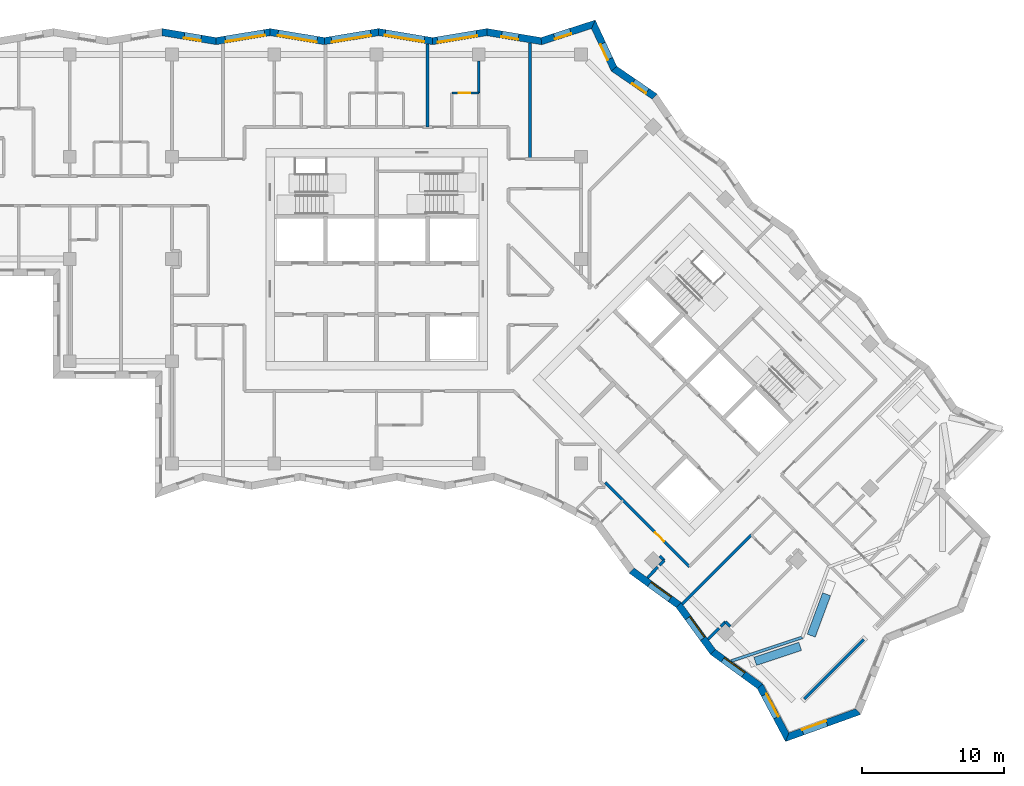
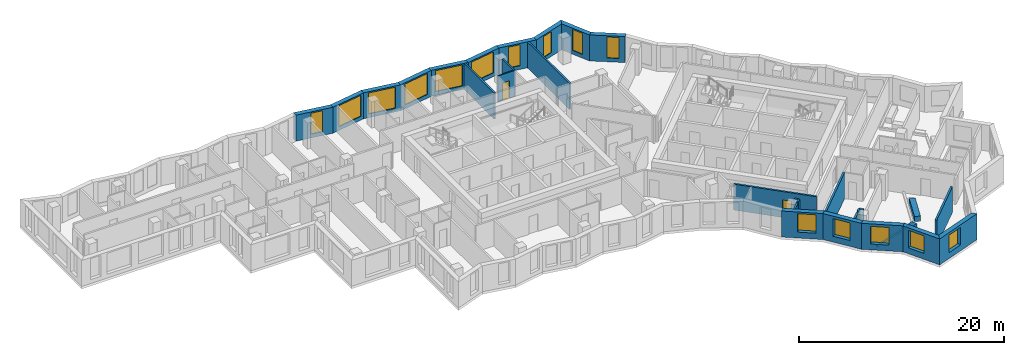
# One storey, part 7 of 13: 31 walls, 15 windows, 2 doors, 17 openings.
"""IFC4 building model written with IfcOpenShell, lengths in metres."""

from ifc_helpers import new_model, si_unit, direction, frame, frame_2d, origin, place, context, subcontext, project, spatial, polyline, rectangle, outline, extrude, material, layer, layer_set, type_object, element, fill, save


model = new_model("IFC4")

# Units and contexts
model_context = context("Model", 3, precision=1e-05, world=origin(), true_north=direction((0.0, 1.0)))
body_context = subcontext(model_context, "Body", "Model", "MODEL_VIEW")
ifc_project = project(units=[si_unit("LENGTHUNIT", "METRE"), si_unit("AREAUNIT", "SQUARE_METRE"), si_unit("VOLUMEUNIT", "CUBIC_METRE"), si_unit("PLANEANGLEUNIT", "RADIAN"), si_unit("MASSUNIT", "GRAM", prefix="KILO")], contexts=[model_context])

# Site, building, storey
site_placement = place(None, origin())
site = spatial("IfcSite", under=ifc_project, at=site_placement, CompositionType="ELEMENT")
building_placement = place(site_placement, origin())
building = spatial("IfcBuilding", under=site, at=building_placement, Name="Windrow Commons", CompositionType="ELEMENT")
storey_placement = place(building_placement, frame((0.0, 0.0, 172.8)))
storey = spatial("IfcBuildingStorey", under=building, at=storey_placement, Name="L47", CompositionType="ELEMENT", Elevation=172.8)

# Wall, opening, window
ifc_material_1 = material(Name="Brick masonry, red clay brick", Category="masonry")
ifc_layer_1 = layer(ifc_material_1, 0.5)
ifc_layer_set_1 = layer_set([ifc_layer_1], Name="Brick facade wall 500")
wall_type_1 = type_object("IfcWallType", Name="Brick facade wall 500", PredefinedType="SOLIDWALL", material=ifc_layer_set_1)
wall_1_placement = place(storey_placement, frame((93.7225, 23.9212, 0.0), z_axis=(0.0, 0.0, 1.0), x_axis=(0.9406900757, 0.339267124, 0.0)))
wall_1 = element("IfcWall", 1, at=wall_1_placement, inside=storey, type_object=wall_type_1, Name="Brick facade wall L47 1", PredefinedType="SOLIDWALL", context=body_context, shape_type="SweptSolid", body=[
    extrude(outline(polyline([(-0.2164, -0.25), (5.4269, -0.25), (5.2018, 0.25), (0.2164, 0.25), (-0.2164, -0.25)])), origin(), (0.0, 0.0, 1.0), 3.1),
])
opening_1_placement = place(wall_1_placement, frame((1.1566, 0.0, 0.7)))
opening_1 = element("IfcOpeningElement", 2, at=opening_1_placement, cuts=wall_1, Name="Opening W1B", PredefinedType="OPENING", context=body_context, shape_type="SweptSolid", body=[
    extrude(rectangle(XDim=1.8, YDim=2.1, at=frame_2d((0.9, 1.05))), frame((0.0, 0.26, 0.0), z_axis=(0.0, -1.0, 0.0), x_axis=(1.0, 0.0, 0.0)), (0.0, 0.0, 1.0), 0.52),
])
ifc_material_2 = material(Name="Clear float glass in anodised aluminium frame", Category="aluminium")
window_type_1 = type_object("IfcWindowType", Name="Window W1 bedroom 1800x2100", PartitioningType="SINGLE_PANEL", PredefinedType="WINDOW", material=ifc_material_2)
window_1_placement = place(opening_1_placement, origin())
window_1 = element("IfcWindow", 3, at=window_1_placement, inside=storey, type_object=window_type_1, Name="Window L47 1.1", OverallHeight=2.1, OverallWidth=1.8, PartitioningType="SINGLE_PANEL", PredefinedType="WINDOW", context=body_context, shape_type="SweptSolid", body=[
    extrude(rectangle(XDim=1.8, YDim=2.1, at=frame_2d((0.9, 1.05))), frame((0.0, 0.18, 0.0), z_axis=(0.0, -1.0, 0.0), x_axis=(1.0, 0.0, 0.0)), (0.0, 0.0, 1.0), 0.06),
])
fill(opening_1, window_1)

wall_2_placement = place(storey_placement, frame((84.3855, 69.0429, 0.0), z_axis=(0.0, 0.0, 1.0), x_axis=(-0.8245680146, 0.5657628383, 0.0)))
wall_2 = element("IfcWall", 4, at=wall_2_placement, inside=storey, type_object=wall_type_1, Name="Brick facade wall L47 17", PredefinedType="SOLIDWALL", context=body_context, shape_type="SweptSolid", body=[
    extrude(outline(polyline([(-0.0465, -0.25), (3.3958, -0.25), (3.5322, 0.25), (0.0465, 0.25), (-0.0465, -0.25)])), origin(), (0.0, 0.0, 1.0), 3.1),
])
opening_2_placement = place(wall_2_placement, frame((0.6207, 0.0, 0.45)))
opening_2 = element("IfcOpeningElement", 5, at=opening_2_placement, cuts=wall_2, Name="Opening W7E", PredefinedType="OPENING", context=body_context, shape_type="SweptSolid", body=[
    extrude(rectangle(XDim=1.2, YDim=2.5, at=frame_2d((0.6, 1.25))), frame((0.0, 0.26, 0.0), z_axis=(0.0, -1.0, 0.0), x_axis=(1.0, 0.0, 0.0)), (0.0, 0.0, 1.0), 0.52),
])
ifc_material_3 = material(Name="Clear float glass in anodised aluminium frame", Category="aluminium")
window_type_2 = type_object("IfcWindowType", Name="Window W7 notch 1200x2500", PartitioningType="SINGLE_PANEL", PredefinedType="WINDOW", material=ifc_material_3)
window_2_placement = place(opening_2_placement, origin())
window_2 = element("IfcWindow", 6, at=window_2_placement, inside=storey, type_object=window_type_2, Name="Window L47 17.1", OverallHeight=2.5, OverallWidth=1.2, PartitioningType="SINGLE_PANEL", PredefinedType="WINDOW", context=body_context, shape_type="SweptSolid", body=[
    extrude(rectangle(XDim=1.2, YDim=2.5, at=frame_2d((0.6, 1.25))), frame((0.0, 0.18, 0.0), z_axis=(0.0, -1.0, 0.0), x_axis=(1.0, 0.0, 0.0)), (0.0, 0.0, 1.0), 0.06),
])
fill(opening_2, window_2)

wall_3_placement = place(storey_placement, frame((81.5292, 71.0027, 0.0), z_axis=(0.0, 0.0, 1.0), x_axis=(-0.4230521553, 0.9061053327, 0.0)))
wall_3 = element("IfcWall", 7, at=wall_3_placement, inside=storey, type_object=wall_type_1, Name="Brick facade wall L47 18", PredefinedType="SOLIDWALL", context=body_context, shape_type="SweptSolid", body=[
    extrude(outline(polyline([(0.0682, -0.25), (3.669, -0.25), (3.2276, 0.25), (-0.0682, 0.25), (0.0682, -0.25)])), origin(), (0.0, 0.0, 1.0), 3.1),
])
opening_3_placement = place(wall_3_placement, frame((0.7514, 0.0, 0.45)))
opening_3 = element("IfcOpeningElement", 8, at=opening_3_placement, cuts=wall_3, Name="Opening W7E", PredefinedType="OPENING", context=body_context, shape_type="SweptSolid", body=[
    extrude(rectangle(XDim=1.2, YDim=2.5, at=frame_2d((0.6, 1.25))), frame((0.0, 0.26, 0.0), z_axis=(0.0, -1.0, 0.0), x_axis=(1.0, 0.0, 0.0)), (0.0, 0.0, 1.0), 0.52),
])
window_3_placement = place(opening_3_placement, origin())
window_3 = element("IfcWindow", 9, at=window_3_placement, inside=storey, type_object=window_type_2, Name="Window L47 18.1", OverallHeight=2.5, OverallWidth=1.2, PartitioningType="SINGLE_PANEL", PredefinedType="WINDOW", context=body_context, shape_type="SweptSolid", body=[
    extrude(rectangle(XDim=1.2, YDim=2.5, at=frame_2d((0.6, 1.25))), frame((0.0, 0.18, 0.0), z_axis=(0.0, -1.0, 0.0), x_axis=(1.0, 0.0, 0.0)), (0.0, 0.0, 1.0), 0.06),
])
fill(opening_3, window_3)

wall_4_placement = place(storey_placement, frame((80.0704, 74.1272, 0.0), z_axis=(0.0, 0.0, 1.0), x_axis=(-0.9515326518, -0.3075477402, 0.0)))
wall_4 = element("IfcWall", 10, at=wall_4_placement, inside=storey, type_object=wall_type_1, Name="Brick facade wall L47 19", PredefinedType="SOLIDWALL", context=body_context, shape_type="SweptSolid", body=[
    extrude(outline(polyline([(-0.2207, -0.25), (3.7884, -0.25), (3.9099, 0.25), (0.2207, 0.25), (-0.2207, -0.25)])), origin(), (0.0, 0.0, 1.0), 3.1),
])
opening_4_placement = place(wall_4_placement, frame((1.682, 0.0, 0.45)))
opening_4 = element("IfcOpeningElement", 11, at=opening_4_placement, cuts=wall_4, Name="Opening W7E", PredefinedType="OPENING", context=body_context, shape_type="SweptSolid", body=[
    extrude(rectangle(XDim=1.2, YDim=2.5, at=frame_2d((0.6, 1.25))), frame((0.0, 0.26, 0.0), z_axis=(0.0, -1.0, 0.0), x_axis=(1.0, 0.0, 0.0)), (0.0, 0.0, 1.0), 0.52),
])
window_4_placement = place(opening_4_placement, origin())
window_4 = element("IfcWindow", 12, at=window_4_placement, inside=storey, type_object=window_type_2, Name="Window L47 19.1", OverallHeight=2.5, OverallWidth=1.2, PartitioningType="SINGLE_PANEL", PredefinedType="WINDOW", context=body_context, shape_type="SweptSolid", body=[
    extrude(rectangle(XDim=1.2, YDim=2.5, at=frame_2d((0.6, 1.25))), frame((0.0, 0.18, 0.0), z_axis=(0.0, -1.0, 0.0), x_axis=(1.0, 0.0, 0.0)), (0.0, 0.0, 1.0), 0.06),
])
fill(opening_4, window_4)

wall_5_placement = place(storey_placement, frame((76.4078, 72.9434, 0.0), z_axis=(0.0, 0.0, 1.0), x_axis=(-0.9865091264, 0.1637062722, 0.0)))
wall_5 = element("IfcWall", 13, at=wall_5_placement, inside=storey, type_object=wall_type_1, Name="Brick facade wall L47 20", PredefinedType="SOLIDWALL", context=body_context, shape_type="SweptSolid", body=[
    extrude(outline(polyline([(0.0608, -0.25), (3.9277, -0.25), (3.8448, 0.25), (-0.0608, 0.25), (0.0608, -0.25)])), origin(), (0.0, 0.0, 1.0), 3.1),
])
opening_5_placement = place(wall_5_placement, frame((1.6318, 0.0, 0.45)))
opening_5 = element("IfcOpeningElement", 14, at=opening_5_placement, cuts=wall_5, Name="Opening W7E", PredefinedType="OPENING", context=body_context, shape_type="SweptSolid", body=[
    extrude(rectangle(XDim=1.2, YDim=2.5, at=frame_2d((0.6, 1.25))), frame((0.0, 0.26, 0.0), z_axis=(0.0, -1.0, 0.0), x_axis=(1.0, 0.0, 0.0)), (0.0, 0.0, 1.0), 0.52),
])
window_5_placement = place(opening_5_placement, origin())
window_5 = element("IfcWindow", 15, at=window_5_placement, inside=storey, type_object=window_type_2, Name="Window L47 20.1", OverallHeight=2.5, OverallWidth=1.2, PartitioningType="SINGLE_PANEL", PredefinedType="WINDOW", context=body_context, shape_type="SweptSolid", body=[
    extrude(rectangle(XDim=1.2, YDim=2.5, at=frame_2d((0.6, 1.25))), frame((0.0, 0.18, 0.0), z_axis=(0.0, -1.0, 0.0), x_axis=(1.0, 0.0, 0.0)), (0.0, 0.0, 1.0), 0.06),
])
fill(opening_5, window_5)

wall_6_placement = place(storey_placement, frame((72.574, 73.5796, 0.0), z_axis=(0.0, 0.0, 1.0), x_axis=(-0.9865110911, -0.1636944324, 0.0)))
wall_6 = element("IfcWall", 16, at=wall_6_placement, inside=storey, type_object=wall_type_1, Name="Brick facade wall L47 21", PredefinedType="SOLIDWALL", context=body_context, shape_type="SweptSolid", body=[
    extrude(outline(polyline([(-0.0415, -0.25), (3.8255, -0.25), (3.9084, 0.25), (0.0415, 0.25), (-0.0415, -0.25)])), origin(), (0.0, 0.0, 1.0), 3.1),
])
opening_6_placement = place(wall_6_placement, frame((0.7244, 0.0, 0.45)))
opening_6 = element("IfcOpeningElement", 17, at=opening_6_placement, cuts=wall_6, Name="Opening W1U", PredefinedType="OPENING", context=body_context, shape_type="SweptSolid", body=[
    extrude(rectangle(XDim=2.8, YDim=2.5, at=frame_2d((1.4, 1.25))), frame((0.0, 0.26, 0.0), z_axis=(0.0, -1.0, 0.0), x_axis=(1.0, 0.0, 0.0)), (0.0, 0.0, 1.0), 0.52),
])
ifc_material_4 = material(Name="Clear float glass in anodised aluminium frame", Category="aluminium")
window_type_3 = type_object("IfcWindowType", Name="Window W1U bedroom 2800x2500", PartitioningType="SINGLE_PANEL", PredefinedType="WINDOW", material=ifc_material_4)
window_6_placement = place(opening_6_placement, origin())
window_6 = element("IfcWindow", 18, at=window_6_placement, inside=storey, type_object=window_type_3, Name="Window L47 21.1", OverallHeight=2.5, OverallWidth=2.8, PartitioningType="SINGLE_PANEL", PredefinedType="WINDOW", context=body_context, shape_type="SweptSolid", body=[
    extrude(rectangle(XDim=2.8, YDim=2.5, at=frame_2d((1.4, 1.25))), frame((0.0, 0.18, 0.0), z_axis=(0.0, -1.0, 0.0), x_axis=(1.0, 0.0, 0.0)), (0.0, 0.0, 1.0), 0.06),
])
fill(opening_6, window_6)

wall_7_placement = place(storey_placement, frame((68.7592, 72.9466, 0.0), z_axis=(0.0, 0.0, 1.0), x_axis=(-0.9865110911, 0.1636944324, 0.0)))
wall_7 = element("IfcWall", 19, at=wall_7_placement, inside=storey, type_object=wall_type_1, Name="Brick facade wall L47 22", PredefinedType="SOLIDWALL", context=body_context, shape_type="SweptSolid", body=[
    extrude(outline(polyline([(0.0415, -0.25), (3.9084, -0.25), (3.8255, 0.25), (-0.0415, 0.25), (0.0415, -0.25)])), origin(), (0.0, 0.0, 1.0), 3.1),
])
opening_7_placement = place(wall_7_placement, frame((0.5948, 0.0, 0.45)))
opening_7 = element("IfcOpeningElement", 20, at=opening_7_placement, cuts=wall_7, Name="Opening W1U", PredefinedType="OPENING", context=body_context, shape_type="SweptSolid", body=[
    extrude(rectangle(XDim=2.8, YDim=2.5, at=frame_2d((1.4, 1.25))), frame((0.0, 0.26, 0.0), z_axis=(0.0, -1.0, 0.0), x_axis=(1.0, 0.0, 0.0)), (0.0, 0.0, 1.0), 0.52),
])
window_7_placement = place(opening_7_placement, origin())
window_7 = element("IfcWindow", 21, at=window_7_placement, inside=storey, type_object=window_type_3, Name="Window L47 22.1", OverallHeight=2.5, OverallWidth=2.8, PartitioningType="SINGLE_PANEL", PredefinedType="WINDOW", context=body_context, shape_type="SweptSolid", body=[
    extrude(rectangle(XDim=2.8, YDim=2.5, at=frame_2d((1.4, 1.25))), frame((0.0, 0.18, 0.0), z_axis=(0.0, -1.0, 0.0), x_axis=(1.0, 0.0, 0.0)), (0.0, 0.0, 1.0), 0.06),
])
fill(opening_7, window_7)

wall_8_placement = place(storey_placement, frame((64.9444, 73.5796, 0.0), z_axis=(0.0, 0.0, 1.0), x_axis=(-0.9865103981, -0.1636986085, 0.0)))
wall_8 = element("IfcWall", 22, at=wall_8_placement, inside=storey, type_object=wall_type_1, Name="Brick facade wall L47 23", PredefinedType="SOLIDWALL", context=body_context, shape_type="SweptSolid", body=[
    extrude(outline(polyline([(-0.0415, -0.25), (3.8255, -0.25), (3.9084, 0.25), (0.0415, 0.25), (-0.0415, -0.25)])), origin(), (0.0, 0.0, 1.0), 3.1),
])
opening_8_placement = place(wall_8_placement, frame((0.5542, 0.0, 0.45)))
opening_8 = element("IfcOpeningElement", 23, at=opening_8_placement, cuts=wall_8, Name="Opening W1U", PredefinedType="OPENING", context=body_context, shape_type="SweptSolid", body=[
    extrude(rectangle(XDim=2.8, YDim=2.5, at=frame_2d((1.4, 1.25))), frame((0.0, 0.26, 0.0), z_axis=(0.0, -1.0, 0.0), x_axis=(1.0, 0.0, 0.0)), (0.0, 0.0, 1.0), 0.52),
])
window_8_placement = place(opening_8_placement, origin())
window_8 = element("IfcWindow", 24, at=window_8_placement, inside=storey, type_object=window_type_3, Name="Window L47 23.1", OverallHeight=2.5, OverallWidth=2.8, PartitioningType="SINGLE_PANEL", PredefinedType="WINDOW", context=body_context, shape_type="SweptSolid", body=[
    extrude(rectangle(XDim=2.8, YDim=2.5, at=frame_2d((1.4, 1.25))), frame((0.0, 0.18, 0.0), z_axis=(0.0, -1.0, 0.0), x_axis=(1.0, 0.0, 0.0)), (0.0, 0.0, 1.0), 0.06),
])
fill(opening_8, window_8)

wall_9_placement = place(storey_placement, frame((61.1297, 72.9466, 0.0), z_axis=(0.0, 0.0, 1.0), x_axis=(-0.9865110911, 0.1636944324, 0.0)))
wall_9 = element("IfcWall", 25, at=wall_9_placement, inside=storey, type_object=wall_type_1, Name="Brick facade wall L47 24", PredefinedType="SOLIDWALL", context=body_context, shape_type="SweptSolid", body=[
    extrude(outline(polyline([(0.0415, -0.25), (3.9084, -0.25), (3.8255, 0.25), (-0.0415, 0.25), (0.0415, -0.25)])), origin(), (0.0, 0.0, 1.0), 3.1),
])
opening_9_placement = place(wall_9_placement, frame((0.5127, 0.0, 0.45)))
opening_9 = element("IfcOpeningElement", 26, at=opening_9_placement, cuts=wall_9, Name="Opening W1U", PredefinedType="OPENING", context=body_context, shape_type="SweptSolid", body=[
    extrude(rectangle(XDim=2.8, YDim=2.5, at=frame_2d((1.4, 1.25))), frame((0.0, 0.26, 0.0), z_axis=(0.0, -1.0, 0.0), x_axis=(1.0, 0.0, 0.0)), (0.0, 0.0, 1.0), 0.52),
])
window_9_placement = place(opening_9_placement, origin())
window_9 = element("IfcWindow", 27, at=window_9_placement, inside=storey, type_object=window_type_3, Name="Window L47 24.1", OverallHeight=2.5, OverallWidth=2.8, PartitioningType="SINGLE_PANEL", PredefinedType="WINDOW", context=body_context, shape_type="SweptSolid", body=[
    extrude(rectangle(XDim=2.8, YDim=2.5, at=frame_2d((1.4, 1.25))), frame((0.0, 0.18, 0.0), z_axis=(0.0, -1.0, 0.0), x_axis=(1.0, 0.0, 0.0)), (0.0, 0.0, 1.0), 0.06),
])
fill(opening_9, window_9)

wall_10_placement = place(storey_placement, frame((57.3149, 73.5796, 0.0), z_axis=(0.0, 0.0, 1.0), x_axis=(-0.9865110911, -0.1636944324, 0.0)))
wall_10 = element("IfcWall", 28, at=wall_10_placement, inside=storey, type_object=wall_type_1, Name="Brick facade wall L47 25", PredefinedType="SOLIDWALL", context=body_context, shape_type="SweptSolid", body=[
    extrude(outline(polyline([(-0.0415, -0.25), (3.8255, -0.25), (3.9084, 0.25), (0.0415, 0.25), (-0.0415, -0.25)])), origin(), (0.0, 0.0, 1.0), 3.1),
])
opening_10_placement = place(wall_10_placement, frame((0.4008, 0.0, 0.45)))
opening_10 = element("IfcOpeningElement", 29, at=opening_10_placement, cuts=wall_10, Name="Opening W1U", PredefinedType="OPENING", context=body_context, shape_type="SweptSolid", body=[
    extrude(rectangle(XDim=2.8, YDim=2.5, at=frame_2d((1.4, 1.25))), frame((0.0, 0.26, 0.0), z_axis=(0.0, -1.0, 0.0), x_axis=(1.0, 0.0, 0.0)), (0.0, 0.0, 1.0), 0.52),
])
window_10_placement = place(opening_10_placement, origin())
window_10 = element("IfcWindow", 30, at=window_10_placement, inside=storey, type_object=window_type_3, Name="Window L47 25.1", OverallHeight=2.5, OverallWidth=2.8, PartitioningType="SINGLE_PANEL", PredefinedType="WINDOW", context=body_context, shape_type="SweptSolid", body=[
    extrude(rectangle(XDim=2.8, YDim=2.5, at=frame_2d((1.4, 1.25))), frame((0.0, 0.18, 0.0), z_axis=(0.0, -1.0, 0.0), x_axis=(1.0, 0.0, 0.0)), (0.0, 0.0, 1.0), 0.06),
])
fill(opening_10, window_10)

wall_11_placement = place(storey_placement, frame((53.5001, 72.9466, 0.0), z_axis=(0.0, 0.0, 1.0), x_axis=(-0.9865110911, 0.1636944324, 0.0)))
wall_11 = element("IfcWall", 31, at=wall_11_placement, inside=storey, type_object=wall_type_1, Name="Brick facade wall L47 26", PredefinedType="SOLIDWALL", context=body_context, shape_type="SweptSolid", body=[
    extrude(outline(polyline([(0.0415, -0.25), (3.9084, -0.25), (3.8255, 0.25), (-0.0415, 0.25), (0.0415, -0.25)])), origin(), (0.0, 0.0, 1.0), 3.1),
])
opening_11_placement = place(wall_11_placement, frame((1.0712, 0.0, 0.45)))
opening_11 = element("IfcOpeningElement", 32, at=opening_11_placement, cuts=wall_11, Name="Opening W7E", PredefinedType="OPENING", context=body_context, shape_type="SweptSolid", body=[
    extrude(rectangle(XDim=1.2, YDim=2.5, at=frame_2d((0.6, 1.25))), frame((0.0, 0.26, 0.0), z_axis=(0.0, -1.0, 0.0), x_axis=(1.0, 0.0, 0.0)), (0.0, 0.0, 1.0), 0.52),
])
window_11_placement = place(opening_11_placement, origin())
window_11 = element("IfcWindow", 33, at=window_11_placement, inside=storey, type_object=window_type_2, Name="Window L47 26.1", OverallHeight=2.5, OverallWidth=1.2, PartitioningType="SINGLE_PANEL", PredefinedType="WINDOW", context=body_context, shape_type="SweptSolid", body=[
    extrude(rectangle(XDim=1.2, YDim=2.5, at=frame_2d((0.6, 1.25))), frame((0.0, 0.18, 0.0), z_axis=(0.0, -1.0, 0.0), x_axis=(1.0, 0.0, 0.0)), (0.0, 0.0, 1.0), 0.06),
])
fill(opening_11, window_11)

wall_12_placement = place(storey_placement, frame((82.7707, 35.6521, 0.0), z_axis=(0.0, 0.0, 1.0), x_axis=(0.807533929, -0.58982112, 0.0)))
wall_12 = element("IfcWall", 34, at=wall_12_placement, inside=storey, type_object=wall_type_1, Name="Brick facade wall L47 52", PredefinedType="SOLIDWALL", context=body_context, shape_type="SweptSolid", body=[
    extrude(outline(polyline([(-0.039, -0.25), (4.0532, -0.25), (4.1311, 0.25), (0.039, 0.25), (-0.039, -0.25)])), origin(), (0.0, 0.0, 1.0), 3.1),
])
opening_12_placement = place(wall_12_placement, frame((1.5588, 0.0, 0.7)))
opening_12 = element("IfcOpeningElement", 35, at=opening_12_placement, cuts=wall_12, Name="Opening W6", PredefinedType="OPENING", context=body_context, shape_type="SweptSolid", body=[
    extrude(rectangle(XDim=1.8, YDim=2.2, at=frame_2d((0.9, 1.1))), frame((0.0, 0.26, 0.0), z_axis=(0.0, -1.0, 0.0), x_axis=(1.0, 0.0, 0.0)), (0.0, 0.0, 1.0), 0.52),
])
ifc_material_5 = material(Name="Clear float glass in anodised aluminium frame", Category="aluminium")
window_type_4 = type_object("IfcWindowType", Name="Window W6 crown 1800x2200", PartitioningType="SINGLE_PANEL", PredefinedType="WINDOW", material=ifc_material_5)
window_12_placement = place(opening_12_placement, origin())
window_12 = element("IfcWindow", 36, at=window_12_placement, inside=storey, type_object=window_type_4, Name="Window L47 52.1A", OverallHeight=2.2, OverallWidth=1.8, PartitioningType="SINGLE_PANEL", PredefinedType="WINDOW", context=body_context, shape_type="SweptSolid", body=[
    extrude(rectangle(XDim=1.8, YDim=2.2, at=frame_2d((0.9, 1.1))), frame((0.0, 0.18, 0.0), z_axis=(0.0, -1.0, 0.0), x_axis=(1.0, 0.0, 0.0)), (0.0, 0.0, 1.0), 0.06),
])
fill(opening_12, window_12)

wall_13_placement = place(storey_placement, frame((86.0752, 33.2385, 0.0), z_axis=(0.0, 0.0, 1.0), x_axis=(0.5898094806, -0.8075424302, 0.0)))
wall_13 = element("IfcWall", 37, at=wall_13_placement, inside=storey, type_object=wall_type_1, Name="Brick facade wall L47 53", PredefinedType="SOLIDWALL", context=body_context, shape_type="SweptSolid", body=[
    extrude(outline(polyline([(0.039, -0.25), (4.1311, -0.25), (4.0532, 0.25), (-0.039, 0.25), (0.039, -0.25)])), origin(), (0.0, 0.0, 1.0), 3.1),
])
opening_13_placement = place(wall_13_placement, frame((1.1266, 0.0, 0.7)))
opening_13 = element("IfcOpeningElement", 38, at=opening_13_placement, cuts=wall_13, Name="Opening W1B", PredefinedType="OPENING", context=body_context, shape_type="SweptSolid", body=[
    extrude(rectangle(XDim=1.8, YDim=2.1, at=frame_2d((0.9, 1.05))), frame((0.0, 0.26, 0.0), z_axis=(0.0, -1.0, 0.0), x_axis=(1.0, 0.0, 0.0)), (0.0, 0.0, 1.0), 0.52),
])
window_13_placement = place(opening_13_placement, origin())
window_13 = element("IfcWindow", 39, at=window_13_placement, inside=storey, type_object=window_type_1, Name="Window L47 53.1", OverallHeight=2.1, OverallWidth=1.8, PartitioningType="SINGLE_PANEL", PredefinedType="WINDOW", context=body_context, shape_type="SweptSolid", body=[
    extrude(rectangle(XDim=1.8, YDim=2.1, at=frame_2d((0.9, 1.05))), frame((0.0, 0.18, 0.0), z_axis=(0.0, -1.0, 0.0), x_axis=(1.0, 0.0, 0.0)), (0.0, 0.0, 1.0), 0.06),
])
fill(opening_13, window_13)

wall_14_placement = place(storey_placement, frame((88.4888, 29.9339, 0.0), z_axis=(0.0, 0.0, 1.0), x_axis=(0.8075466626, -0.5898036858, 0.0)))
wall_14 = element("IfcWall", 40, at=wall_14_placement, inside=storey, type_object=wall_type_1, Name="Brick facade wall L47 54", PredefinedType="SOLIDWALL", context=body_context, shape_type="SweptSolid", body=[
    extrude(outline(polyline([(-0.039, -0.25), (4.0532, -0.25), (4.1676, 0.25), (0.039, 0.25), (-0.039, -0.25)])), origin(), (0.0, 0.0, 1.0), 3.1),
])
opening_14_placement = place(wall_14_placement, frame((0.8826, 0.0, 0.7)))
opening_14 = element("IfcOpeningElement", 41, at=opening_14_placement, cuts=wall_14, Name="Opening W1B", PredefinedType="OPENING", context=body_context, shape_type="SweptSolid", body=[
    extrude(rectangle(XDim=1.8, YDim=2.1, at=frame_2d((0.9, 1.05))), frame((0.0, 0.26, 0.0), z_axis=(0.0, -1.0, 0.0), x_axis=(1.0, 0.0, 0.0)), (0.0, 0.0, 1.0), 0.52),
])
window_14_placement = place(opening_14_placement, origin())
window_14 = element("IfcWindow", 42, at=window_14_placement, inside=storey, type_object=window_type_1, Name="Window L47 54.1", OverallHeight=2.1, OverallWidth=1.8, PartitioningType="SINGLE_PANEL", PredefinedType="WINDOW", context=body_context, shape_type="SweptSolid", body=[
    extrude(rectangle(XDim=1.8, YDim=2.1, at=frame_2d((0.9, 1.05))), frame((0.0, 0.18, 0.0), z_axis=(0.0, -1.0, 0.0), x_axis=(1.0, 0.0, 0.0)), (0.0, 0.0, 1.0), 0.06),
])
fill(opening_14, window_14)

wall_15_placement = place(storey_placement, frame((91.8081, 27.5096, 0.0), z_axis=(0.0, 0.0, 1.0), x_axis=(0.4707005336, -0.8822930395, 0.0)))
wall_15 = element("IfcWall", 43, at=wall_15_placement, inside=storey, type_object=wall_type_1, Name="Brick facade wall L47 55", PredefinedType="SOLIDWALL", context=body_context, shape_type="SweptSolid", body=[
    extrude(outline(polyline([(0.0572, -0.25), (4.2835, -0.25), (3.8507, 0.25), (-0.0572, 0.25), (0.0572, -0.25)])), origin(), (0.0, 0.0, 1.0), 3.1),
])
opening_15_placement = place(wall_15_placement, frame((0.6766, 0.0, 0.7)))
opening_15 = element("IfcOpeningElement", 44, at=opening_15_placement, cuts=wall_15, Name="Opening W1B", PredefinedType="OPENING", context=body_context, shape_type="SweptSolid", body=[
    extrude(rectangle(XDim=1.8, YDim=2.1, at=frame_2d((0.9, 1.05))), frame((0.0, 0.26, 0.0), z_axis=(0.0, -1.0, 0.0), x_axis=(1.0, 0.0, 0.0)), (0.0, 0.0, 1.0), 0.52),
])
window_15_placement = place(opening_15_placement, origin())
window_15 = element("IfcWindow", 45, at=window_15_placement, inside=storey, type_object=window_type_1, Name="Window L47 55.1", OverallHeight=2.1, OverallWidth=1.8, PartitioningType="SINGLE_PANEL", PredefinedType="WINDOW", context=body_context, shape_type="SweptSolid", body=[
    extrude(rectangle(XDim=1.8, YDim=2.1, at=frame_2d((0.9, 1.05))), frame((0.0, 0.18, 0.0), z_axis=(0.0, -1.0, 0.0), x_axis=(1.0, 0.0, 0.0)), (0.0, 0.0, 1.0), 0.06),
])
fill(opening_15, window_15)

# Wall, opening, door
ifc_material_6 = material(Name="Blockwork partition", Category="masonry")
ifc_layer_2 = layer(ifc_material_6, 0.2)
ifc_layer_set_2 = layer_set([ifc_layer_2], Name="IW-CORRIDOR-200")
wall_type_2 = type_object("IfcWallType", Name="IW-CORRIDOR-200", PredefinedType="PARTITIONING", material=ifc_layer_set_2)
wall_16_placement = place(storey_placement, frame((80.8989, 41.8689, 0.0), z_axis=(0.0, 0.0, 1.0), x_axis=(0.7071067812, -0.7071067812, 0.0)))
wall_16 = element("IfcWall", 46, at=wall_16_placement, inside=storey, type_object=wall_type_2, Name="W-L47-W012", PredefinedType="PARTITIONING", context=body_context, shape_type="SweptSolid", body=[
    extrude(rectangle(XDim=8.3919, YDim=0.2, at=frame_2d((4.1959, 0.0))), origin(), (0.0, 0.0, 1.0), 3.1),
])
opening_16_placement = place(wall_16_placement, frame((4.9788, 0.0, 0.0)))
opening_16 = element("IfcOpeningElement", 47, at=opening_16_placement, cuts=wall_16, Name="Opening D109S", PredefinedType="OPENING", context=body_context, shape_type="SweptSolid", body=[
    extrude(rectangle(XDim=0.9, YDim=2.1, at=frame_2d((0.45, 1.05))), frame((0.0, 0.11, 0.0), z_axis=(0.0, -1.0, 0.0), x_axis=(1.0, 0.0, 0.0)), (0.0, 0.0, 1.0), 0.22),
])
ifc_material_7 = material(Name="Timber door leaf", Category="wood")
door_type_1 = type_object("IfcDoorType", Name="DT-BEDROOM-900", OperationType="SINGLE_SWING_LEFT", PredefinedType="DOOR", material=ifc_material_7)
door_1_placement = place(opening_16_placement, origin())
door_1 = element("IfcDoor", 48, at=door_1_placement, inside=storey, type_object=door_type_1, Name="D-L47-D049", OperationType="SINGLE_SWING_RIGHT", OverallHeight=2.1, OverallWidth=0.9, PredefinedType="DOOR", context=body_context, shape_type="SweptSolid", body=[
    extrude(rectangle(XDim=0.9, YDim=2.1, at=frame_2d((0.45, 1.05))), frame((0.0, 0.025, 0.0), z_axis=(0.0, -1.0, 0.0), x_axis=(1.0, 0.0, 0.0)), (0.0, 0.0, 1.0), 0.05),
])
fill(opening_16, door_1)

ifc_material_8 = material(Name="Blockwork partition", Category="masonry")
ifc_layer_3 = layer(ifc_material_8, 0.15)
ifc_layer_set_3 = layer_set([ifc_layer_3], Name="IW-ENSUITE-150")
wall_type_3 = type_object("IfcWallType", Name="IW-ENSUITE-150", PredefinedType="PARTITIONING", material=ifc_layer_set_3)
wall_17_placement = place(storey_placement, frame((70.1, 69.3, 0.0), z_axis=(0.0, 0.0, 1.0), x_axis=(1.0, 0.0, 0.0)))
wall_17 = element("IfcWall", 49, at=wall_17_placement, inside=storey, type_object=wall_type_3, Name="W-L47-W117", PredefinedType="PARTITIONING", context=body_context, shape_type="SweptSolid", body=[
    extrude(rectangle(XDim=1.9, YDim=0.15, at=frame_2d((0.95, 0.0))), origin(), (0.0, 0.0, 1.0), 3.1),
])
opening_17_placement = place(wall_17_placement, frame((0.4931, 0.0, 0.0)))
opening_17 = element("IfcOpeningElement", 50, at=opening_17_placement, cuts=wall_17, Name="Opening D208N", PredefinedType="OPENING", context=body_context, shape_type="SweptSolid", body=[
    extrude(rectangle(XDim=0.8, YDim=2.1, at=frame_2d((0.4, 1.05))), frame((0.0, 0.085, 0.0), z_axis=(0.0, -1.0, 0.0), x_axis=(1.0, 0.0, 0.0)), (0.0, 0.0, 1.0), 0.17),
])
ifc_material_9 = material(Name="Timber door leaf", Category="wood")
door_type_2 = type_object("IfcDoorType", Name="DT-ENSUITE-800", OperationType="SINGLE_SWING_LEFT", PredefinedType="DOOR", material=ifc_material_9)
door_2_placement = place(opening_17_placement, origin())
door_2 = element("IfcDoor", 51, at=door_2_placement, inside=storey, type_object=door_type_2, Name="D-L47-D035", OperationType="SINGLE_SWING_RIGHT", OverallHeight=2.1, OverallWidth=0.8, PredefinedType="DOOR", context=body_context, shape_type="SweptSolid", body=[
    extrude(rectangle(XDim=0.8, YDim=2.1, at=frame_2d((0.4, 1.05))), frame((0.0, 0.025, 0.0), z_axis=(0.0, -1.0, 0.0), x_axis=(1.0, 0.0, 0.0)), (0.0, 0.0, 1.0), 0.05),
])
fill(opening_17, door_2)

# Walls
ifc_material_10 = material(Name="Blockwork partition", Category="masonry")
ifc_layer_4 = layer(ifc_material_10, 0.2)
ifc_layer_set_4 = layer_set([ifc_layer_4], Name="IW-PARTY-200")
wall_type_4 = type_object("IfcWallType", Name="IW-PARTY-200", PredefinedType="PARTITIONING", material=ifc_layer_set_4)
wall_18_placement = place(storey_placement, frame((75.6, 64.65, 0.0), z_axis=(0.0, 0.0, 1.0), x_axis=(0.0, 1.0, 0.0)))
element("IfcWall", 52, at=wall_18_placement, inside=storey, type_object=wall_type_4, Name="W-L47-W014", PredefinedType="PARTITIONING", context=body_context, shape_type="SweptSolid", body=[
    extrude(rectangle(XDim=8.1741, YDim=0.2, at=frame_2d((4.087, 0.0))), origin(), (0.0, 0.0, 1.0), 3.1),
])
wall_19_placement = place(storey_placement, frame((86.3296, 33.314, 0.0), z_axis=(0.0, 0.0, 1.0), x_axis=(0.7072524653, 0.7069610671, 0.0)))
element("IfcWall", 53, at=wall_19_placement, inside=storey, type_object=wall_type_4, Name="W-L47-W019", PredefinedType="PARTITIONING", context=body_context, shape_type="SweptSolid", body=[
    extrude(rectangle(XDim=6.8635, YDim=0.2, at=frame_2d((3.4318, 0.0))), origin(), (0.0, 0.0, 1.0), 3.1),
])
wall_20_placement = place(storey_placement, frame((94.9232, 26.6308, 0.0), z_axis=(0.0, 0.0, 1.0), x_axis=(0.7071067812, 0.7071067812, 0.0)))
element("IfcWall", 54, at=wall_20_placement, inside=storey, type_object=wall_type_4, Name="W-L47-W029", PredefinedType="PARTITIONING", context=body_context, shape_type="SweptSolid", body=[
    extrude(rectangle(XDim=5.9256, YDim=0.2, at=frame_2d((2.9628, 0.0))), origin(), (0.0, 0.0, 1.0), 3.1),
])
wall_21_placement = place(storey_placement, frame((68.4, 66.9, 0.0), z_axis=(0.0, 0.0, 1.0), x_axis=(0.0, 1.0, 0.0)))
element("IfcWall", 55, at=wall_21_placement, inside=storey, type_object=wall_type_4, Name="W-L47-W030", PredefinedType="PARTITIONING", context=body_context, shape_type="SweptSolid", body=[
    extrude(rectangle(XDim=5.8528, YDim=0.2, at=frame_2d((2.9264, 0.0))), origin(), (0.0, 0.0, 1.0), 3.1),
])
wall_22_placement = place(storey_placement, frame((72.0, 69.3, 0.0), z_axis=(0.0, 0.0, 1.0), x_axis=(0.0, 1.0, 0.0)))
element("IfcWall", 56, at=wall_22_placement, inside=storey, type_object=wall_type_4, Name="W-L47-W106", PredefinedType="PARTITIONING", context=body_context, shape_type="SweptSolid", body=[
    extrude(rectangle(XDim=2.25, YDim=0.2, at=frame_2d((1.125, 0.0))), origin(), (0.0, 0.0, 1.0), 3.1),
])
wall_23_placement = place(storey_placement, frame((88.1517, 30.8194, 0.0), z_axis=(0.0, 0.0, 1.0), x_axis=(0.7070614204, 0.7071521391, 0.0)))
element("IfcWall", 57, at=wall_23_placement, inside=storey, type_object=wall_type_4, Name="W-L47-W132", PredefinedType="PARTITIONING", context=body_context, shape_type="SweptSolid", body=[
    extrude(rectangle(XDim=1.1023, YDim=0.2, at=frame_2d((0.5512, 0.0))), origin(), (0.0, 0.0, 1.0), 3.1),
])
wall_24_placement = place(storey_placement, frame((83.8723, 35.1571, 0.0), z_axis=(0.0, 0.0, 1.0), x_axis=(0.7052194116, 0.7089891265, 0.0)))
element("IfcWall", 58, at=wall_24_placement, inside=storey, type_object=wall_type_4, Name="W-L47-W133", PredefinedType="PARTITIONING", context=body_context, shape_type="SweptSolid", body=[
    extrude(rectangle(XDim=1.0611, YDim=0.2, at=frame_2d((0.5305, 0.0))), origin(), (0.0, 0.0, 1.0), 3.1),
])
for number, where, z_axis, x_axis, name in (
    (59, (89.3863, 32.0523, 0.0), (0.0, 0.0, 1.0), (0.7071067812, -0.7071067812, 0.0), "W-L47-W156"),
    (60, (89.0531, 31.7209, 0.0), (0.0, 0.0, 1.0), (0.7071067812, 0.7071067812, 0.0), "W-L47-W157"),
):
    element("IfcWall", number, at=place(storey_placement, frame(where, z_axis=z_axis, x_axis=x_axis)), inside=storey, type_object=wall_type_4, Name=name, PredefinedType="PARTITIONING", context=body_context, shape_type="SweptSolid", body=[
        extrude(rectangle(XDim=0.4695, YDim=0.2, at=frame_2d((0.2347, 0.0))), origin(), (0.0, 0.0, 1.0), 3.1),
    ])
wall_25_placement = place(storey_placement, frame((84.7423, 36.0337, 0.0), z_axis=(0.0, 0.0, 1.0), x_axis=(0.7049672897, 0.7092398187, 0.0)))
element("IfcWall", 61, at=wall_25_placement, inside=storey, type_object=wall_type_4, Name="W-L47-W160", PredefinedType="PARTITIONING", context=body_context, shape_type="SweptSolid", body=[
    extrude(rectangle(XDim=0.4681, YDim=0.2, at=frame_2d((0.2341, 0.0))), origin(), (0.0, 0.0, 1.0), 3.1),
])
wall_26_placement = place(storey_placement, frame((84.7423, 36.6963, 0.0), z_axis=(0.0, 0.0, 1.0), x_axis=(0.7071067812, -0.7071067812, 0.0)))
element("IfcWall", 62, at=wall_26_placement, inside=storey, type_object=wall_type_4, Name="W-L47-W162", PredefinedType="PARTITIONING", context=body_context, shape_type="SweptSolid", body=[
    extrude(rectangle(XDim=0.4667, YDim=0.2, at=frame_2d((0.2334, 0.0))), origin(), (0.0, 0.0, 1.0), 3.1),
])
ifc_material_11 = material(Name="Concrete C30/37 planter wall", Category="concrete")
ifc_layer_5 = layer(ifc_material_11, 0.6)
ifc_layer_set_5 = layer_set([ifc_layer_5], Name="Planter 600x450")
wall_type_5 = type_object("IfcWallType", Name="Planter 600x450", PredefinedType="SOLIDWALL", material=ifc_layer_set_5)
wall_27_placement = place(storey_placement, frame((96.4976, 33.9918, 0.0), z_axis=(0.0, 0.0, 1.0), x_axis=(-0.3481905653, -0.937423773, 0.0)))
element("IfcWall", 63, at=wall_27_placement, inside=storey, type_object=wall_type_5, Name="PLANTER TR-L47-1.5", PredefinedType="SOLIDWALL", context=body_context, shape_type="SweptSolid", body=[
    extrude(rectangle(XDim=3.1107, YDim=0.6, at=frame_2d((1.5554, 0.0))), origin(), (0.0, 0.0, 1.0), 0.65),
])
wall_28_placement = place(storey_placement, frame((94.6364, 30.3236, 0.0), z_axis=(0.0, 0.0, 1.0), x_axis=(-0.9486862934, -0.31621878, 0.0)))
element("IfcWall", 64, at=wall_28_placement, inside=storey, type_object=wall_type_5, Name="PLANTER TR-L47-1.6", PredefinedType="SOLIDWALL", context=body_context, shape_type="SweptSolid", body=[
    extrude(outline(polyline([(0.0, -0.3), (3.3385, -0.3), (3.3385, 0.3), (0.0, 0.3), (0.0, -0.3)])), origin(), (0.0, 0.0, 1.0), 0.65),
])
ifc_material_12 = material(Name="Brick masonry, red clay brick", Category="masonry")
ifc_layer_6 = layer(ifc_material_12, 0.2)
ifc_layer_set_6 = layer_set([ifc_layer_6], Name="Terrace edge parapet 200")
wall_type_6 = type_object("IfcWallType", Name="Terrace edge parapet 200", PredefinedType="PARAPET", material=ifc_layer_set_6)
wall_29_placement = place(storey_placement, frame((94.7818, 30.9518, 0.0), z_axis=(0.0, 0.0, 1.0), x_axis=(-0.9486813956, -0.3162334732, 0.0)))
element("IfcWall", 65, at=wall_29_placement, inside=storey, type_object=wall_type_6, Name="Terrace parapet TR-L47-1.1.9", PredefinedType="PARAPET", context=body_context, shape_type="SweptSolid", body=[
    extrude(outline(polyline([(0.0479, -0.1), (5.2566, -0.1), (5.2566, 0.1), (-0.0479, 0.1), (0.0479, -0.1)])), origin(), (0.0, 0.0, 1.0), 0.25),
])

save(model, "model.ifc")
